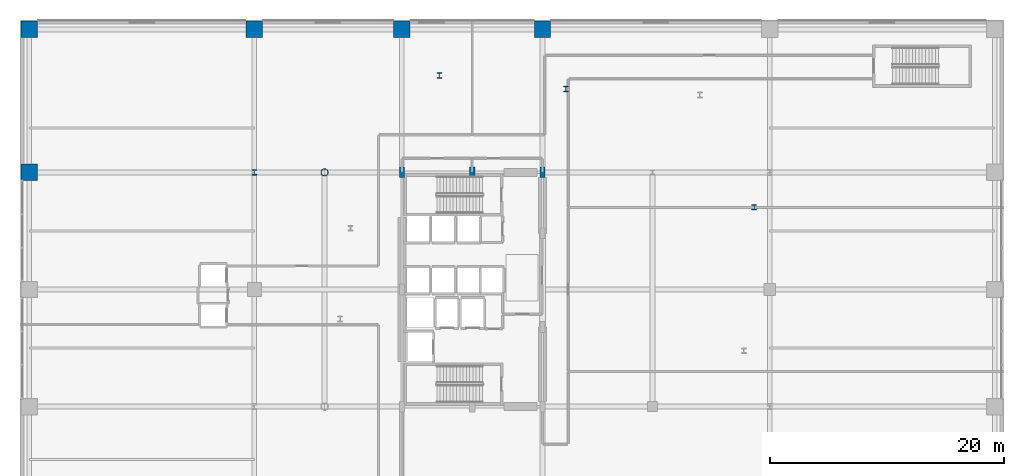
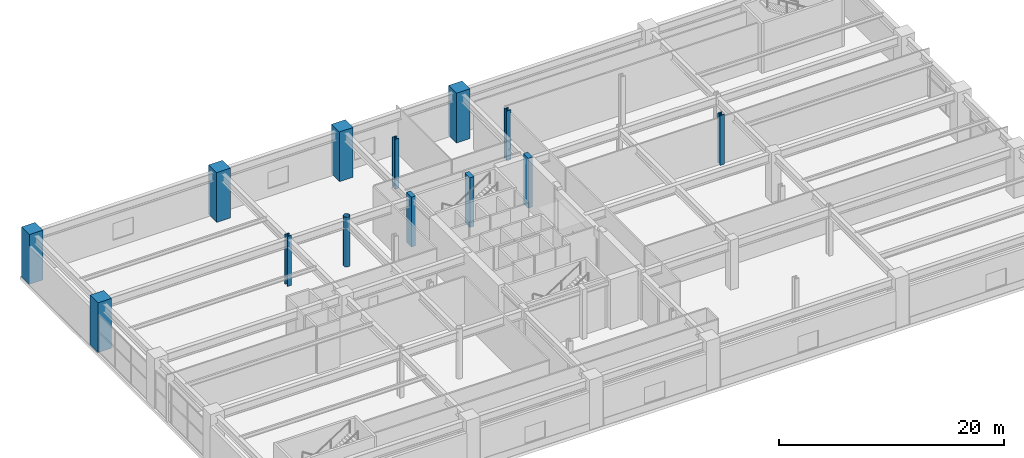
# One storey, part 2 of 28: 13 columns.
"""IFC4 building model written with IfcOpenShell, lengths in metres."""

from ifc_helpers import new_model, si_unit, direction, frame, origin, origin_2d, place, context, subcontext, project, spatial, rectangle, hollow_circle, i_section, extrude, material, material_profile, profile_set, type_object, element, save


model = new_model("IFC4")

# Units and contexts
model_context = context("Model", 3, precision=1e-05, world=origin(), true_north=direction((0.0, 1.0)))
body_context = subcontext(model_context, "Body", "Model", "MODEL_VIEW")
ifc_project = project(units=[si_unit("LENGTHUNIT", "METRE"), si_unit("AREAUNIT", "SQUARE_METRE"), si_unit("VOLUMEUNIT", "CUBIC_METRE"), si_unit("PLANEANGLEUNIT", "RADIAN"), si_unit("MASSUNIT", "GRAM", prefix="KILO")], contexts=[model_context])

# Site, building, storey
site_placement = place(None, origin())
site = spatial("IfcSite", under=ifc_project, at=site_placement, CompositionType="ELEMENT")
building_placement = place(site_placement, origin())
building = spatial("IfcBuilding", under=site, at=building_placement, Name="Soratama Intermodal Tower", CompositionType="ELEMENT")
storey_placement = place(building_placement, frame((0.0, 0.0, 6.0)))
storey = spatial("IfcBuildingStorey", under=building, at=storey_placement, Name="L01", CompositionType="ELEMENT", Elevation=6.0)

# Columns
ifc_material_1 = material(Name="Concrete f'c 56 MPa", Category="concrete")
ifc_material_profile_1 = material_profile(ifc_material_1, rectangle(XDim=1.39990234375, YDim=1.39990234375, at=origin_2d()), Name="RC1400X1400")
ifc_profile_set_1 = profile_set([ifc_material_profile_1], Name="Concrete f'c 56 MPa")
column_type_1 = type_object("IfcColumnType", Name="COL-POD-EXT-RC1400", PredefinedType="COLUMN", material=ifc_profile_set_1)
for number, where, z_axis, x_axis, name in (
    (1, (0.800048828125, 35.0, 0.0), (0.0, 0.0, 1.0), (1.0, 0.0, 0.0), "L01 Station Column P09"),
    (2, (0.800048828125, 47.199951171875, 0.0), (0.0, 0.0, 1.0), (1.0, 0.0, 0.0), "L01 Station Column P13"),
    (3, (20.0, 47.199951171875, 0.0), (0.0, 0.0, 1.0), (1.0, 0.0, 0.0), "L01 Station Column P14"),
    (4, (32.60009765625, 47.199951171875, 0.0), (0.0, 0.0, 1.0), (1.0, 0.0, 0.0), "L01 Station Column P23"),
    (5, (44.60009765625, 47.199951171875, 0.0), (0.0, 0.0, 1.0), (1.0, 0.0, 0.0), "L01 Station Column P24"),
):
    element("IfcColumn", number, at=place(storey_placement, frame(where, z_axis=z_axis, x_axis=x_axis)), inside=storey, type_object=column_type_1, Name=name, PredefinedType="COLUMN", context=body_context, shape_type="SweptSolid", body=[
        extrude(rectangle(XDim=1.39990234375, YDim=1.39990234375, at=origin_2d()), origin(), (0.0, 0.0, 1.0), 5.39990234375),
    ])
ifc_material_2 = material(Name="Structural steel ASTM A992 Grade 50", Category="steel")
ifc_material_profile_2 = material_profile(ifc_material_2, i_section(OverallWidth=0.431884765625, OverallDepth=0.498046875, WebThickness=0.0556640625, FlangeThickness=0.0888671875, FilletRadius=0.0380859375, at=origin_2d()), Name="W14X500")
ifc_profile_set_2 = profile_set([ifc_material_profile_2], Name="Structural steel ASTM A992 Grade 50")
column_type_2 = type_object("IfcColumnType", Name="COL-POD-W14X500", PredefinedType="COLUMN", material=ifc_profile_set_2)
for number, where, z_axis, x_axis, name in (
    (6, (20.0, 35.0, 0.0), (0.0, 0.0, 1.0), (1.0, 0.0, 0.0), "L01 Station Column P10"),
    (7, (62.6689453125, 32.02490234375, 0.0), (0.0, 0.0, 1.0), (1.0, 0.0, 0.0), "L01 Station Column P29"),
    (8, (46.60107421875, 42.116943359375, 0.0), (0.0, 0.0, 1.0), (1.0, 0.0, 0.0), "L01 Station Column P31"),
    (9, (35.7958984375, 43.264892578125, 0.0), (0.0, 0.0, 1.0), (1.0, 0.0, 0.0), "L01 Station Column P32"),
):
    element("IfcColumn", number, at=place(storey_placement, frame(where, z_axis=z_axis, x_axis=x_axis)), inside=storey, type_object=column_type_2, Name=name, PredefinedType="COLUMN", context=body_context, shape_type="SweptSolid", body=[
        extrude(i_section(OverallWidth=0.431884765625, OverallDepth=0.498046875, WebThickness=0.0556640625, FlangeThickness=0.0888671875, FilletRadius=0.0380859375, at=origin_2d()), origin(), (0.0, 0.0, 1.0), 5.39990234375),
    ])
ifc_material_3 = material(Name="Structural steel ASTM A500 Grade C", Category="steel")
ifc_material_profile_3 = material_profile(ifc_material_3, hollow_circle(Radius=0.304931640625, WallThickness=0.02197265625, at=origin_2d()), Name="CHS610X22")
ifc_profile_set_3 = profile_set([ifc_material_profile_3], Name="Structural steel ASTM A500 Grade C")
column_type_3 = type_object("IfcColumnType", Name="COL-POOL-CHS610", PredefinedType="COLUMN", material=ifc_profile_set_3)
column_placement = place(storey_placement, frame((26.0, 35.0, 0.0), z_axis=(0.0, 0.0, 1.0), x_axis=(1.0, 0.0, 0.0)))
element("IfcColumn", 10, at=column_placement, inside=storey, type_object=column_type_3, Name="L01 Station Column P28", PredefinedType="COLUMN", context=body_context, shape_type="SweptSolid", body=[
    extrude(hollow_circle(Radius=0.304931640625, WallThickness=0.02197265625, at=origin_2d()), origin(), (0.0, 0.0, 1.0), 5.39990234375),
])
ifc_material_4 = material(Name="Concrete f'c 56 MPa", Category="concrete")
ifc_material_profile_4 = material_profile(ifc_material_4, rectangle(XDim=0.449951171875, YDim=0.89990234375, at=origin_2d()), Name="RC450X900")
ifc_profile_set_4 = profile_set([ifc_material_profile_4], Name="Concrete f'c 56 MPa")
column_type_4 = type_object("IfcColumnType", Name="PIL-CORE-450X900", PredefinedType="PILASTER", material=ifc_profile_set_4)
for number, where, z_axis, x_axis, name in (
    (11, (32.60009765625, 35.0, 0.0), (0.0, 0.0, 1.0), (1.0, 0.0, 0.0), "L01 Core Pilaster 3"),
    (12, (38.60009765625, 35.0, 0.0), (0.0, 0.0, 1.0), (1.0, 0.0, 0.0), "L01 Core Pilaster 5"),
    (13, (44.60009765625, 35.0, 0.0), (0.0, 0.0, 1.0), (1.0, 0.0, 0.0), "L01 Core Pilaster 9"),
):
    element("IfcColumn", number, at=place(storey_placement, frame(where, z_axis=z_axis, x_axis=x_axis)), inside=storey, type_object=column_type_4, Name=name, PredefinedType="PILASTER", context=body_context, shape_type="SweptSolid", body=[
        extrude(rectangle(XDim=0.449951171875, YDim=0.89990234375, at=origin_2d()), origin(), (0.0, 0.0, 1.0), 5.39990234375),
    ])

save(model, "model.ifc")
